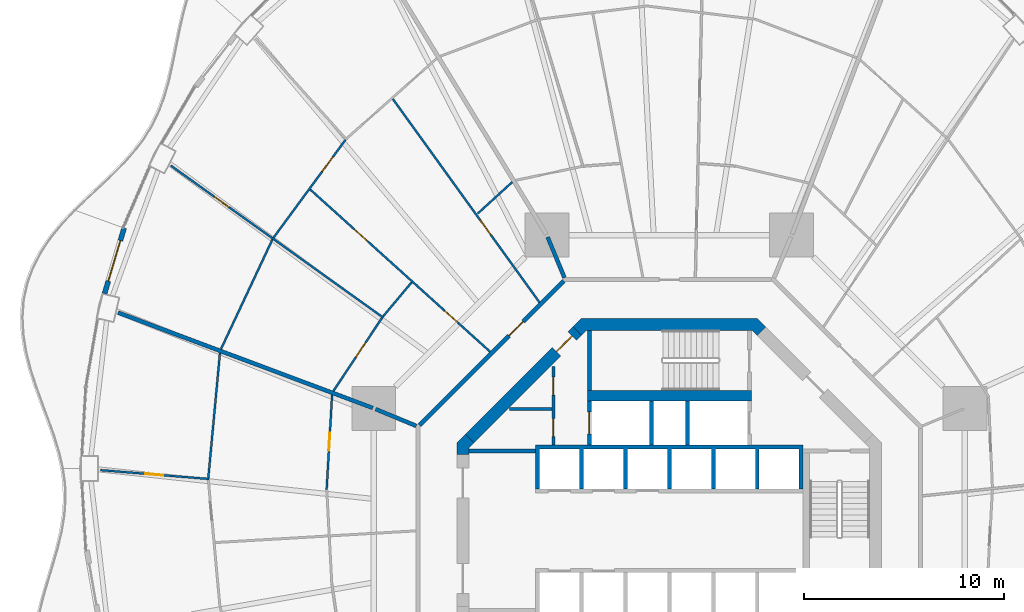
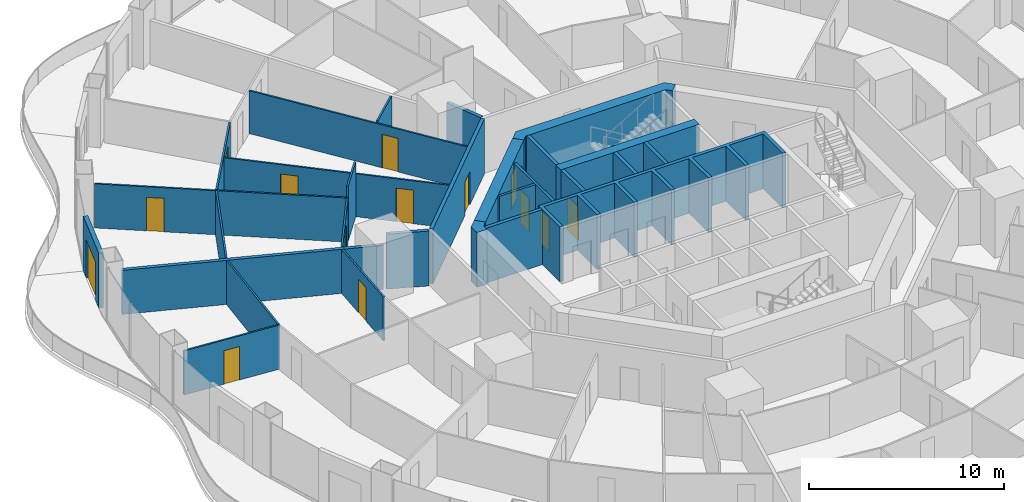
# One storey, part 18 of 24: 28 walls, 14 doors, 14 openings.
"""IFC4 building model written with IfcOpenShell, lengths in metres."""

import ifcopenshell
import ifcopenshell.guid

model = None  # the IFC model being written
_history = None  # IfcOwnerHistory: only IFC2X3 demands one
_inside = {}  # id of a spatial element -> (the spatial element, [elements in it])
_under = {}  # id of a project, library or spatial element -> (it, [spatial elements below it])
_declared = {}  # id of a project -> (the project, [libraries it declares])
_typed = {}  # id of a type object -> (the type object, [elements of that type])
_made_of = {}  # id of a material, layer set ... -> (it, [elements and type objects made of it])


def new_model(schema):
    """Start an empty IFC model of exactly this schema.

    Asked for "IFC4X3", IfcOpenShell would pick the latest addendum, in which some entities
    have other attributes; the version numbers below select the first issue.
    IFC2X3 requires an IfcOwnerHistory on every rooted entity: one is made here for all.
    """
    global model, _history
    if schema == "IFC4X3":
        model = ifcopenshell.file(schema_version=(4, 3, 0, 0))
    else:
        model = ifcopenshell.file(schema=schema)
    _inside.clear()
    _under.clear()
    _declared.clear()
    _typed.clear()
    _made_of.clear()
    _history = None
    if model.schema == "IFC2X3":
        org = make("IfcOrganization", Name="unknown")
        user = make(
            "IfcPersonAndOrganization",
            ThePerson=make("IfcPerson", FamilyName="unknown"),
            TheOrganization=org,
        )
        app = make(
            "IfcApplication",
            ApplicationDeveloper=org,
            Version="unknown",
            ApplicationFullName="unknown",
            ApplicationIdentifier="unknown",
        )
        _history = make(
            "IfcOwnerHistory",
            OwningUser=user,
            OwningApplication=app,
            ChangeAction="ADDED",
            CreationDate=0,
        )
    return model


def make(cls, **values):
    """One entity of the class cls with the attributes given. An attribute that is None is left unset."""
    return model.create_entity(
        cls, **{name: value for name, value in values.items() if value is not None}
    )


def rooted(cls, **values):
    """An entity with a GlobalId (a new one), such as an element, a storey or a relation."""
    return make(cls, GlobalId=ifcopenshell.guid.new(), OwnerHistory=_history, **values)


def si_unit(unit_type, name, prefix=None):
    """IfcSIUnit, for example si_unit("LENGTHUNIT", "METRE", prefix="MILLI")."""
    return make("IfcSIUnit", UnitType=unit_type, Prefix=prefix, Name=name)


def assignment(units):
    """IfcUnitAssignment: the units of a project."""
    return None if units is None else make("IfcUnitAssignment", Units=units)


def point(xyz):
    """IfcCartesianPoint."""
    return None if xyz is None else make("IfcCartesianPoint", Coordinates=xyz)


def direction(xyz):
    """IfcDirection."""
    return None if xyz is None else make("IfcDirection", DirectionRatios=xyz)


def frame(location, z_axis=None, x_axis=None):
    """IfcAxis2Placement3D, a coordinate frame: its origin and axes. An axis left out is left unset."""
    return make(
        "IfcAxis2Placement3D",
        Location=point(location),
        Axis=direction(z_axis),
        RefDirection=direction(x_axis),
    )


def frame_2d(location, x_axis=None):
    """IfcAxis2Placement2D, a coordinate frame in the plane: its origin and x axis."""
    return make(
        "IfcAxis2Placement2D", Location=point(location), RefDirection=direction(x_axis)
    )


def origin():
    """The frame at (0, 0, 0) with its axes left unset."""
    return frame((0.0, 0.0, 0.0))


def place(relative_to, where):
    """IfcLocalPlacement: puts the frame where relative to a parent placement (None: the world)."""
    return make(
        "IfcLocalPlacement", PlacementRelTo=relative_to, RelativePlacement=where
    )


def context(
    kind, dimensions, precision=None, world=None, true_north=None, identifier=None
):
    """IfcGeometricRepresentationContext, for example the 3D "Model" context."""
    return make(
        "IfcGeometricRepresentationContext",
        ContextIdentifier=identifier,
        ContextType=kind,
        CoordinateSpaceDimension=dimensions,
        Precision=precision,
        WorldCoordinateSystem=world,
        TrueNorth=true_north,
    )


def subcontext(parent, identifier, kind, view, scale=None):
    """IfcGeometricRepresentationSubContext, for example "Body" below "Model"."""
    return make(
        "IfcGeometricRepresentationSubContext",
        ContextIdentifier=identifier,
        ContextType=kind,
        ParentContext=parent,
        TargetScale=scale,
        TargetView=view,
    )


def project(units=None, contexts=None):
    """IfcProject with its units and contexts."""
    return rooted(
        "IfcProject",
        Name="project",
        RepresentationContexts=contexts,
        UnitsInContext=assignment(units),
    )


def spatial(cls, under=None, at=None, **own):
    """A site, building, storey or space (cls), placed at a placement, below another one or the project."""
    s = rooted(cls, ObjectPlacement=at, **own)
    if under is not None:
        _under.setdefault(under.id(), (under, []))[1].append(s)
    return s


def polyline(points):
    """IfcPolyline through the points."""
    return make("IfcPolyline", Points=[point(p) for p in points])


def profile(cls, at=None, kind="AREA", **sizes):
    """A parametric profile (cls). Its sizes go by their IFC names, for example OverallWidth=200.0."""
    return make(cls, ProfileType=kind, Position=at, **sizes)


def rectangle(**sizes):
    """IfcRectangleProfileDef."""
    return profile("IfcRectangleProfileDef", **sizes)


def outline(outer, holes=None, kind="AREA"):
    """IfcArbitraryClosedProfileDef: a profile drawn as a closed curve; with holes, ...WithVoids."""
    if holes is None:
        return make("IfcArbitraryClosedProfileDef", ProfileType=kind, OuterCurve=outer)
    return make(
        "IfcArbitraryProfileDefWithVoids",
        ProfileType=kind,
        OuterCurve=outer,
        InnerCurves=holes,
    )


def extrude(swept, where, along, depth):
    """IfcExtrudedAreaSolid: the profile swept, set in the frame where, extruded along a direction by depth."""
    return make(
        "IfcExtrudedAreaSolid",
        SweptArea=swept,
        Position=where,
        ExtrudedDirection=direction(along),
        Depth=depth,
    )


def shape(context_of_items, identifier, shape_type, items):
    """IfcShapeRepresentation: the items that make up one representation, for example the "Body"."""
    return make(
        "IfcShapeRepresentation",
        ContextOfItems=context_of_items,
        RepresentationIdentifier=identifier,
        RepresentationType=shape_type,
        Items=items,
    )


def material(Name=None, Category=None):
    """IfcMaterial."""
    return make("IfcMaterial", Name=Name, Category=Category)


def layer(
    of_material, thickness, ventilated=None, Name=None, Category=None, Priority=None
):
    """IfcMaterialLayer: one layer of a wall or slab, of a material (None: an air gap)."""
    return make(
        "IfcMaterialLayer",
        Material=of_material,
        LayerThickness=thickness,
        IsVentilated=ventilated,
        Name=Name,
        Category=Category,
        Priority=Priority,
    )


def layer_set(layers, Name=None):
    """IfcMaterialLayerSet."""
    return make("IfcMaterialLayerSet", MaterialLayers=layers, LayerSetName=Name)


def made_of(thing, what):
    """Note that an element or type object is made of a material, layer set ...; save() writes the relation."""
    if what is not None:
        _made_of.setdefault(what.id(), (what, []))[1].append(thing)
    return thing


def type_object(cls, material=None, **own):
    """A type object (cls), such as IfcWallType, which elements share."""
    return made_of(rooted(cls, **own), material)


def element(
    cls,
    number,
    at=None,
    inside=None,
    cuts=None,
    type_object=None,
    material=None,
    context=None,
    identifier="Body",
    shape_type=None,
    held_by="IfcProductDefinitionShape",
    body=None,
    shapes=None,
    **own,
):
    """One element of the class cls, such as IfcWall. Its Tag is "e" and its number.

    at: its placement. inside: the storey or other place that contains it. cuts: it is an
    opening in that element (IfcRelVoidsElement). A single representation is given by context,
    identifier, shape_type and body (its items); several are given by shapes. held_by: the class
    of the entity that holds the representations. save() writes the other relations.
    """
    e = rooted(cls, Tag="e%d" % number, ObjectPlacement=at, **own)
    if body is not None:
        shapes = [shape(context, identifier, shape_type, body)]
    if shapes is not None:
        e.Representation = make(held_by, Representations=shapes)
    if inside is not None:
        _inside.setdefault(inside.id(), (inside, []))[1].append(e)
    if cuts is not None:
        rooted(
            "IfcRelVoidsElement", RelatingBuildingElement=cuts, RelatedOpeningElement=e
        )
    if type_object is not None:
        _typed.setdefault(type_object.id(), (type_object, []))[1].append(e)
    return made_of(e, material)


def fill(opening, filler):
    """IfcRelFillsElement: the door or window that sits in an opening."""
    return rooted(
        "IfcRelFillsElement",
        RelatingOpeningElement=opening,
        RelatedBuildingElement=filler,
    )


def aggregate(whole, parts):
    """IfcRelAggregates: a whole, such as a stair, and the parts it consists of."""
    return rooted("IfcRelAggregates", RelatingObject=whole, RelatedObjects=parts)


def save(model, path):
    """Write the relations noted so far, then the file.

    IfcRelAggregates (storeys below a building ...), IfcRelContainedInSpatialStructure (elements
    in a storey), IfcRelDefinesByType, IfcRelAssociatesMaterial and IfcRelDeclares: one each for
    every whole, place, type object, material and project.
    """
    for whole, parts in _under.values():
        aggregate(whole, parts)
    for where, things in _inside.values():
        rooted(
            "IfcRelContainedInSpatialStructure",
            RelatedElements=things,
            RelatingStructure=where,
        )
    for kind, things in _typed.values():
        rooted("IfcRelDefinesByType", RelatedObjects=things, RelatingType=kind)
    for what, things in _made_of.values():
        rooted("IfcRelAssociatesMaterial", RelatedObjects=things, RelatingMaterial=what)
    for by, libraries in _declared.values():
        rooted("IfcRelDeclares", RelatingContext=by, RelatedDefinitions=libraries)
    model.write(path)


model = new_model("IFC4")

# Units and contexts
model_context = context("Model", 3, precision=1e-05, world=origin(), true_north=direction((0.0, 1.0)))
body_context = subcontext(model_context, "Body", "Model", "MODEL_VIEW")
ifc_project = project(units=[si_unit("LENGTHUNIT", "METRE"), si_unit("AREAUNIT", "SQUARE_METRE"), si_unit("VOLUMEUNIT", "CUBIC_METRE"), si_unit("PLANEANGLEUNIT", "RADIAN"), si_unit("MASSUNIT", "GRAM", prefix="KILO")], contexts=[model_context])

# Site, building, storey
site_placement = place(None, origin())
site = spatial("IfcSite", under=ifc_project, at=site_placement, CompositionType="ELEMENT")
building_placement = place(site_placement, origin())
building = spatial("IfcBuilding", under=site, at=building_placement, Name="Nagisa Residences", CompositionType="ELEMENT")
storey_placement = place(building_placement, frame((0.0, 0.0, 102.89990234375)))
storey = spatial("IfcBuildingStorey", under=building, at=storey_placement, Name="L25", CompositionType="ELEMENT", Elevation=102.89990234375)

# Walls
ifc_material_1 = material(Name="Gypsum board on steel studs", Category="steel")
ifc_layer_1 = layer(ifc_material_1, 0.199951171875)
ifc_layer_set_1 = layer_set([ifc_layer_1], Name="Apartment compartment wall EI60 200")
wall_type_1 = type_object("IfcWallType", Name="Apartment compartment wall EI60 200", PredefinedType="PARTITIONING", material=ifc_layer_set_1)
wall_1_placement = place(storey_placement, frame((-5.24267578125, 12.6572265625, 0.0), z_axis=(0.0, 0.0, 1.0), x_axis=(-0.38273085373, 0.923859888513, 0.0)))
element("IfcWall", 1, at=wall_1_placement, inside=storey, type_object=wall_type_1, Name="wall:L25:u02", PredefinedType="PARTITIONING", context=body_context, shape_type="SweptSolid", body=[
    extrude(rectangle(XDim=2.199462890625, YDim=0.199951171875, at=frame_2d((1.099609375, 0.0))), origin(), (0.0, 0.0, 1.0), 3.440185546875),
])
wall_2_placement = place(storey_placement, frame((-12.6572265625, 5.24267578125, 0.0), z_axis=(0.0, 0.0, 1.0), x_axis=(-0.923843626288, 0.382770106157, 0.0)))
element("IfcWall", 2, at=wall_2_placement, inside=storey, type_object=wall_type_1, Name="wall:L25:u04", PredefinedType="PARTITIONING", context=body_context, shape_type="SweptSolid", body=[
    extrude(rectangle(XDim=2.19921875, YDim=0.199951171875, at=frame_2d((1.099609375, 0.0))), origin(), (0.0, 0.0, 1.0), 3.440185546875),
])
wall_3_placement = place(storey_placement, frame((-14.828857421875, 6.140380859375, 0.0), z_axis=(0.0, 0.0, 1.0), x_axis=(-0.936597324342, 0.35040755134, 0.0)))
element("IfcWall", 3, at=wall_3_placement, inside=storey, type_object=wall_type_1, Name="wall:L25:u05", PredefinedType="PARTITIONING", context=body_context, shape_type="SweptSolid", body=[
    extrude(rectangle(XDim=13.605712890625, YDim=0.199951171875, at=frame_2d((6.802734375, 0.0))), origin(), (0.0, 0.0, 1.0), 2.76220703125),
])

# Wall, opening, door
ifc_material_2 = material(Name="Gypsum board on steel studs", Category="steel")
ifc_layer_2 = layer(ifc_material_2, 0.199951171875)
ifc_layer_set_2 = layer_set([ifc_layer_2], Name="Apartment entry wall EI60 200")
wall_type_2 = type_object("IfcWallType", Name="Apartment entry wall EI60 200", PredefinedType="PARTITIONING", material=ifc_layer_set_2)
wall_4_placement = place(storey_placement, frame((-5.275146484375, 12.494140625, 0.0), z_axis=(0.0, 0.0, 1.0), x_axis=(-0.707106781187, -0.707106781187, 0.0)))
wall_4 = element("IfcWall", 4, at=wall_4_placement, inside=storey, type_object=wall_type_2, Name="wall:L25:u13", PredefinedType="PARTITIONING", context=body_context, shape_type="SweptSolid", body=[
    extrude(rectangle(XDim=10.209228515625, YDim=0.199951171875, at=frame_2d((5.1044921875, 0.0))), origin(), (0.0, 0.0, 1.0), 3.440185546875),
])
opening_1_placement = place(wall_4_placement, frame((2.86962890625, 0.0, 0.0)))
opening_1 = element("IfcOpeningElement", 5, at=opening_1_placement, cuts=wall_4, Name="Opening L25-U50", PredefinedType="OPENING", context=body_context, shape_type="SweptSolid", body=[
    extrude(rectangle(XDim=1.0, YDim=2.10009765625, at=frame_2d((0.5, 1.050048828125))), frame((0.0, 0.10986328125, 0.0), z_axis=(0.0, -1.0, 0.0), x_axis=(1.0, 0.0, 0.0)), (0.0, 0.0, 1.0), 0.219970703125),
])
ifc_material_3 = material(Name="Timber fire door set", Category="wood")
door_type_1 = type_object("IfcDoorType", Name="Apartment entry door FD30S 1000x2100", OperationType="NOTDEFINED", PredefinedType="DOOR", material=ifc_material_3)
door_1_placement = place(opening_1_placement, frame((1.0, 0.0, 0.0), x_axis=(-1.0, 0.0, 0.0)))
door_1 = element("IfcDoor", 6, at=door_1_placement, inside=storey, type_object=door_type_1, Name="Entry door, Apartment 25E", OperationType="SINGLE_SWING_LEFT", OverallHeight=2.10009765625, OverallWidth=1.0, PredefinedType="DOOR", context=body_context, shape_type="SweptSolid", body=[
    extrude(rectangle(XDim=1.0, YDim=2.10009765625, at=frame_2d((0.5, 1.050048828125))), frame((0.0, 0.02490234375, 0.0), z_axis=(0.0, -1.0, 0.0), x_axis=(1.0, 0.0, 0.0)), (0.0, 0.0, 1.0), 0.050048828125),
])
fill(opening_1, door_1)

# Wall
ifc_material_4 = material(Name="Gypsum board on steel studs", Category="steel")
ifc_layer_3 = layer(ifc_material_4, 0.10009765625)
ifc_layer_set_3 = layer_set([ifc_layer_3], Name="Apartment partition 100")
wall_type_3 = type_object("IfcWallType", Name="Apartment partition 100", PredefinedType="PARTITIONING", material=ifc_layer_set_3)
wall_5_placement = place(storey_placement, frame((-7.856689453125, 17.438232421875, 0.0), z_axis=(0.0, 0.0, 1.0), x_axis=(-0.738883513135, -0.673833179665, 0.0)))
element("IfcWall", 7, at=wall_5_placement, inside=storey, type_object=wall_type_3, Name="wall:L25:u44", PredefinedType="PARTITIONING", context=body_context, shape_type="SweptSolid", body=[
    extrude(rectangle(XDim=2.3232421875, YDim=0.10009765625, at=frame_2d((1.16162109375, 0.0))), origin(), (0.0, 0.0, 1.0), 2.76220703125),
])

# Wall, opening, door
wall_6_placement = place(storey_placement, frame((-6.48974609375, 11.419189453125, 0.0), z_axis=(0.0, 0.0, 1.0), x_axis=(-0.584832823883, 0.811153849839, 0.0)))
wall_6 = element("IfcWall", 8, at=wall_6_placement, inside=storey, type_object=wall_type_3, Name="wall:L25:u46", PredefinedType="PARTITIONING", context=body_context, shape_type="SweptSolid", body=[
    extrude(rectangle(XDim=12.55322265625, YDim=0.10009765625, at=frame_2d((6.276611328125, 0.0))), origin(), (0.0, 0.0, 1.0), 2.68701171875),
])
opening_2_placement = place(wall_6_placement, frame((4.166015625, 0.0, 0.0)))
opening_2 = element("IfcOpeningElement", 9, at=opening_2_placement, cuts=wall_6, Name="Opening L25-U51", PredefinedType="OPENING", context=body_context, shape_type="SweptSolid", body=[
    extrude(rectangle(XDim=0.89990234375, YDim=2.10009765625, at=frame_2d((0.449951171875, 1.050048828125))), frame((0.0, 0.06005859375, 0.0), z_axis=(0.0, -1.0, 0.0), x_axis=(1.0, 0.0, 0.0)), (0.0, 0.0, 1.0), 0.1201171875),
])
ifc_material_5 = material(Name="Timber door set", Category="wood")
door_type_2 = type_object("IfcDoorType", Name="Apartment door 900x2100", OperationType="NOTDEFINED", PredefinedType="DOOR", material=ifc_material_5)
door_2_placement = place(opening_2_placement, frame((0.89990234375, 0.0, 0.0), x_axis=(-1.0, 0.0, 0.0)))
door_2 = element("IfcDoor", 10, at=door_2_placement, inside=storey, type_object=door_type_2, Name="Door to family bathroom, Apartment 25E", OperationType="SINGLE_SWING_RIGHT", OverallHeight=2.10009765625, OverallWidth=0.89990234375, PredefinedType="DOOR", context=body_context, shape_type="SweptSolid", body=[
    extrude(rectangle(XDim=0.89990234375, YDim=2.10009765625, at=frame_2d((0.449951171875, 1.050048828125))), frame((0.0, 0.02490234375, 0.0), z_axis=(0.0, -1.0, 0.0), x_axis=(1.0, 0.0, 0.0)), (0.0, 0.0, 1.0), 0.050048828125),
])
fill(opening_2, door_2)

wall_7_placement = place(storey_placement, frame((-16.197265625, 19.55126953125, 0.0), z_axis=(0.0, 0.0, 1.0), x_axis=(-0.592391983588, -0.80564988536, 0.0)))
wall_7 = element("IfcWall", 11, at=wall_7_placement, inside=storey, type_object=wall_type_3, Name="wall:L25:u48", PredefinedType="PARTITIONING", context=body_context, shape_type="SweptSolid", body=[
    extrude(rectangle(XDim=6.080078125, YDim=0.10009765625, at=frame_2d((3.0400390625, 0.0))), origin(), (0.0, 0.0, 1.0), 2.76220703125),
])
opening_3_placement = place(wall_7_placement, frame((1.070068359375, 0.0, 0.0)))
opening_3 = element("IfcOpeningElement", 12, at=opening_3_placement, cuts=wall_7, Name="Opening L25-U56", PredefinedType="OPENING", context=body_context, shape_type="SweptSolid", body=[
    extrude(rectangle(XDim=0.89990234375, YDim=2.10009765625, at=frame_2d((0.449951171875, 1.050048828125))), frame((0.0, 0.06005859375, 0.0), z_axis=(0.0, -1.0, 0.0), x_axis=(1.0, 0.0, 0.0)), (0.0, 0.0, 1.0), 0.1201171875),
])
door_3_placement = place(opening_3_placement, frame((0.89990234375, 0.0, 0.0), x_axis=(-1.0, 0.0, 0.0)))
door_3 = element("IfcDoor", 13, at=door_3_placement, inside=storey, type_object=door_type_2, Name="Door to dining room, Apartment 25E", OperationType="SINGLE_SWING_LEFT", OverallHeight=2.10009765625, OverallWidth=0.89990234375, PredefinedType="DOOR", context=body_context, shape_type="SweptSolid", body=[
    extrude(rectangle(XDim=0.89990234375, YDim=2.10009765625, at=frame_2d((0.449951171875, 1.050048828125))), frame((0.0, 0.02490234375, 0.0), z_axis=(0.0, -1.0, 0.0), x_axis=(1.0, 0.0, 0.0)), (0.0, 0.0, 1.0), 0.050048828125),
])
fill(opening_3, door_3)

# Wall, openings, doors
wall_8_placement = place(storey_placement, frame((-8.958984375, 8.95166015625, 0.0), z_axis=(0.0, 0.0, 1.0), x_axis=(-0.742679904999, 0.669646592398, 0.0)))
wall_8 = element("IfcWall", 14, at=wall_8_placement, inside=storey, type_object=wall_type_3, Name="wall:L25:u49", PredefinedType="PARTITIONING", context=body_context, shape_type="SweptSolid", body=[
    extrude(rectangle(XDim=12.121337890625, YDim=0.10009765625, at=frame_2d((6.060546875, 0.0))), origin(), (0.0, 0.0, 1.0), 2.68701171875),
])
opening_4_placement = place(wall_8_placement, frame((2.172119140625, 0.0, 0.0)))
opening_4 = element("IfcOpeningElement", 15, at=opening_4_placement, cuts=wall_8, Name="Opening L25-U52", PredefinedType="OPENING", context=body_context, shape_type="SweptSolid", body=[
    extrude(rectangle(XDim=0.89990234375, YDim=2.10009765625, at=frame_2d((0.449951171875, 1.050048828125))), frame((0.0, 0.06005859375, 0.0), z_axis=(0.0, -1.0, 0.0), x_axis=(1.0, 0.0, 0.0)), (0.0, 0.0, 1.0), 0.1201171875),
])
opening_5_placement = place(wall_8_placement, frame((8.232666015625, 0.0, 0.0)))
opening_5 = element("IfcOpeningElement", 16, at=opening_5_placement, cuts=wall_8, Name="Opening L25-U53", PredefinedType="OPENING", context=body_context, shape_type="SweptSolid", body=[
    extrude(rectangle(XDim=0.89990234375, YDim=2.10009765625, at=frame_2d((0.449951171875, 1.050048828125))), frame((0.0, 0.06005859375, 0.0), z_axis=(0.0, -1.0, 0.0), x_axis=(1.0, 0.0, 0.0)), (0.0, 0.0, 1.0), 0.1201171875),
])
door_4_placement = place(opening_4_placement, origin())
door_4 = element("IfcDoor", 17, at=door_4_placement, inside=storey, type_object=door_type_2, Name="Door to store, Apartment 25E", OperationType="SINGLE_SWING_RIGHT", OverallHeight=2.10009765625, OverallWidth=0.89990234375, PredefinedType="DOOR", context=body_context, shape_type="SweptSolid", body=[
    extrude(rectangle(XDim=0.89990234375, YDim=2.10009765625, at=frame_2d((0.449951171875, 1.050048828125))), frame((0.0, 0.02490234375, 0.0), z_axis=(0.0, -1.0, 0.0), x_axis=(1.0, 0.0, 0.0)), (0.0, 0.0, 1.0), 0.050048828125),
])
fill(opening_4, door_4)
door_5_placement = place(opening_5_placement, origin())
door_5 = element("IfcDoor", 18, at=door_5_placement, inside=storey, type_object=door_type_2, Name="Door to family bathroom, Apartment 25E", OperationType="SINGLE_SWING_LEFT", OverallHeight=2.10009765625, OverallWidth=0.89990234375, PredefinedType="DOOR", context=body_context, shape_type="SweptSolid", body=[
    extrude(rectangle(XDim=0.89990234375, YDim=2.10009765625, at=frame_2d((0.449951171875, 1.050048828125))), frame((0.0, 0.02490234375, 0.0), z_axis=(0.0, -1.0, 0.0), x_axis=(1.0, 0.0, 0.0)), (0.0, 0.0, 1.0), 0.050048828125),
])
fill(opening_5, door_5)

# Wall
wall_9_placement = place(storey_placement, frame((-12.885498046875, 12.4248046875, 0.0), z_axis=(0.0, 0.0, 1.0), x_axis=(-0.642551826067, -0.766242227248, 0.0)))
element("IfcWall", 19, at=wall_9_placement, inside=storey, type_object=wall_type_3, Name="wall:L25:u50", PredefinedType="PARTITIONING", context=body_context, shape_type="SweptSolid", body=[
    extrude(rectangle(XDim=2.218505859375, YDim=0.10009765625, at=frame_2d((1.109375, 0.0))), origin(), (0.0, 0.0, 1.0), 3.440185546875),
])

# Wall, opening, door
wall_10_placement = place(storey_placement, frame((-14.302490234375, 10.657470703125, 0.0), z_axis=(0.0, 0.0, 1.0), x_axis=(-0.813183002698, 0.582008079087, 0.0)))
wall_10 = element("IfcWall", 20, at=wall_10_placement, inside=storey, type_object=wall_type_3, Name="wall:L25:u51", PredefinedType="PARTITIONING", context=body_context, shape_type="SweptSolid", body=[
    extrude(rectangle(XDim=13.074462890625, YDim=0.10009765625, at=frame_2d((6.537109375, 0.0))), origin(), (0.0, 0.0, 1.0), 2.76220703125),
])
opening_6_placement = place(wall_10_placement, frame((9.485107421875, 0.0, 0.0)))
opening_6 = element("IfcOpeningElement", 21, at=opening_6_placement, cuts=wall_10, Name="Opening L25-U57", PredefinedType="OPENING", context=body_context, shape_type="SweptSolid", body=[
    extrude(rectangle(XDim=0.89990234375, YDim=2.10009765625, at=frame_2d((0.449951171875, 1.050048828125))), frame((0.0, 0.06005859375, 0.0), z_axis=(0.0, -1.0, 0.0), x_axis=(1.0, 0.0, 0.0)), (0.0, 0.0, 1.0), 0.1201171875),
])
door_6_placement = place(opening_6_placement, origin())
door_6 = element("IfcDoor", 22, at=door_6_placement, inside=storey, type_object=door_type_2, Name="Door to living room, Apartment 25E", OperationType="SINGLE_SWING_LEFT", OverallHeight=2.10009765625, OverallWidth=0.89990234375, PredefinedType="DOOR", context=body_context, shape_type="SweptSolid", body=[
    extrude(rectangle(XDim=0.89990234375, YDim=2.10009765625, at=frame_2d((0.449951171875, 1.050048828125))), frame((0.0, 0.02490234375, 0.0), z_axis=(0.0, -1.0, 0.0), x_axis=(1.0, 0.0, 0.0)), (0.0, 0.0, 1.0), 0.050048828125),
])
fill(opening_6, door_6)

wall_11_placement = place(storey_placement, frame((-14.370849609375, 10.64501953125, 0.0), z_axis=(0.0, 0.0, 1.0), x_axis=(-0.553341009285, -0.832954817168, 0.0)))
wall_11 = element("IfcWall", 23, at=wall_11_placement, inside=storey, type_object=wall_type_3, Name="wall:L25:u52", PredefinedType="PARTITIONING", context=body_context, shape_type="SweptSolid", body=[
    extrude(rectangle(XDim=4.396240234375, YDim=0.10009765625, at=frame_2d((2.1982421875, 0.0))), origin(), (0.0, 0.0, 1.0), 2.76220703125),
])
opening_7_placement = place(wall_11_placement, frame((1.468505859375, 0.0, 0.0)))
opening_7 = element("IfcOpeningElement", 24, at=opening_7_placement, cuts=wall_11, Name="Opening L25-U54", PredefinedType="OPENING", context=body_context, shape_type="SweptSolid", body=[
    extrude(rectangle(XDim=0.89990234375, YDim=2.10009765625, at=frame_2d((0.449951171875, 1.050048828125))), frame((0.0, 0.06005859375, 0.0), z_axis=(0.0, -1.0, 0.0), x_axis=(1.0, 0.0, 0.0)), (0.0, 0.0, 1.0), 0.1201171875),
])
door_7_placement = place(opening_7_placement, frame((0.89990234375, 0.0, 0.0), x_axis=(-1.0, 0.0, 0.0)))
door_7 = element("IfcDoor", 25, at=door_7_placement, inside=storey, type_object=door_type_2, Name="Door to kitchen, Apartment 25E", OperationType="SINGLE_SWING_LEFT", OverallHeight=2.10009765625, OverallWidth=0.89990234375, PredefinedType="DOOR", context=body_context, shape_type="SweptSolid", body=[
    extrude(rectangle(XDim=0.89990234375, YDim=2.10009765625, at=frame_2d((0.449951171875, 1.050048828125))), frame((0.0, 0.02490234375, 0.0), z_axis=(0.0, -1.0, 0.0), x_axis=(1.0, 0.0, 0.0)), (0.0, 0.0, 1.0), 0.050048828125),
])
fill(opening_7, door_7)

# Wall
wall_12_placement = place(storey_placement, frame((-19.85009765625, 14.5673828125, 0.0), z_axis=(0.0, 0.0, 1.0), x_axis=(-0.424942210745, -0.905220480064, 0.0)))
element("IfcWall", 26, at=wall_12_placement, inside=storey, type_object=wall_type_3, Name="wall:L25:u53", PredefinedType="PARTITIONING", context=body_context, shape_type="SweptSolid", body=[
    extrude(rectangle(XDim=6.05322265625, YDim=0.10009765625, at=frame_2d((3.026611328125, 0.0))), origin(), (0.0, 0.0, 1.0), 2.76220703125),
])

# Wall, opening, door
wall_13_placement = place(storey_placement, frame((-16.864501953125, 6.800048828125, 0.0), z_axis=(0.0, 0.0, 1.0), x_axis=(-0.05777584434, -0.998329580755, 0.0)))
wall_13 = element("IfcWall", 27, at=wall_13_placement, inside=storey, type_object=wall_type_3, Name="wall:L25:u54", PredefinedType="PARTITIONING", context=body_context, shape_type="SweptSolid", body=[
    extrude(rectangle(XDim=4.74951171875, YDim=0.10009765625, at=frame_2d((2.374755859375, 0.0))), origin(), (0.0, 0.0, 1.0), 2.76220703125),
])
opening_8_placement = place(wall_13_placement, frame((1.89990234375, 0.0, 0.0)))
opening_8 = element("IfcOpeningElement", 28, at=opening_8_placement, cuts=wall_13, Name="Opening L25-U14", PredefinedType="OPENING", context=body_context, shape_type="SweptSolid", body=[
    extrude(rectangle(XDim=0.89990234375, YDim=2.10009765625, at=frame_2d((0.449951171875, 1.050048828125))), frame((0.0, 0.06005859375, 0.0), z_axis=(0.0, -1.0, 0.0), x_axis=(1.0, 0.0, 0.0)), (0.0, 0.0, 1.0), 0.1201171875),
])
door_8_placement = place(opening_8_placement, origin())
door_8 = element("IfcDoor", 29, at=door_8_placement, inside=storey, type_object=door_type_2, Name="Door to laundry, Apartment 25A", OperationType="SINGLE_SWING_RIGHT", OverallHeight=2.10009765625, OverallWidth=0.89990234375, PredefinedType="DOOR", context=body_context, shape_type="SweptSolid", body=[
    extrude(rectangle(XDim=0.89990234375, YDim=2.10009765625, at=frame_2d((0.449951171875, 1.050048828125))), frame((0.0, 0.02490234375, 0.0), z_axis=(0.0, -1.0, 0.0), x_axis=(1.0, 0.0, 0.0)), (0.0, 0.0, 1.0), 0.050048828125),
])
fill(opening_8, door_8)

# Wall
wall_14_placement = place(storey_placement, frame((-22.47412109375, 8.897705078125, 0.0), z_axis=(0.0, 0.0, 1.0), x_axis=(-0.092756864489, -0.995688788774, 0.0)))
element("IfcWall", 30, at=wall_14_placement, inside=storey, type_object=wall_type_3, Name="wall:L25:u55", PredefinedType="PARTITIONING", context=body_context, shape_type="SweptSolid", body=[
    extrude(rectangle(XDim=6.28271484375, YDim=0.10009765625, at=frame_2d((3.141357421875, 0.0))), origin(), (0.0, 0.0, 1.0), 2.76220703125),
])

# Wall, opening, door
wall_15_placement = place(storey_placement, frame((-23.01171875, 2.588134765625, 0.0), z_axis=(0.0, 0.0, 1.0), x_axis=(-0.996680765347, 0.081409164031, 0.0)))
wall_15 = element("IfcWall", 31, at=wall_15_placement, inside=storey, type_object=wall_type_3, Name="wall:L25:u57", PredefinedType="PARTITIONING", context=body_context, shape_type="SweptSolid", body=[
    extrude(rectangle(XDim=5.4580078125, YDim=0.10009765625, at=frame_2d((2.72900390625, 0.0))), origin(), (0.0, 0.0, 1.0), 2.76220703125),
])
opening_9_placement = place(wall_15_placement, frame((2.303955078125, 0.0, 0.0)))
opening_9 = element("IfcOpeningElement", 32, at=opening_9_placement, cuts=wall_15, Name="Opening L25-U13", PredefinedType="OPENING", context=body_context, shape_type="SweptSolid", body=[
    extrude(rectangle(XDim=0.89990234375, YDim=2.10009765625, at=frame_2d((0.449951171875, 1.050048828125))), frame((0.0, 0.06005859375, 0.0), z_axis=(0.0, -1.0, 0.0), x_axis=(1.0, 0.0, 0.0)), (0.0, 0.0, 1.0), 0.1201171875),
])
door_9_placement = place(opening_9_placement, frame((0.89990234375, 0.0, 0.0), x_axis=(-1.0, 0.0, 0.0)))
door_9 = element("IfcDoor", 33, at=door_9_placement, inside=storey, type_object=door_type_2, Name="Door to master bedroom, Apartment 25A", OperationType="SINGLE_SWING_RIGHT", OverallHeight=2.10009765625, OverallWidth=0.89990234375, PredefinedType="DOOR", context=body_context, shape_type="SweptSolid", body=[
    extrude(rectangle(XDim=0.89990234375, YDim=2.10009765625, at=frame_2d((0.449951171875, 1.050048828125))), frame((0.0, 0.02490234375, 0.0), z_axis=(0.0, -1.0, 0.0), x_axis=(1.0, 0.0, 0.0)), (0.0, 0.0, 1.0), 0.050048828125),
])
fill(opening_9, door_9)

ifc_material_6 = material(Name="Precast concrete C40/50", Category="concrete")
ifc_layer_4 = layer(ifc_material_6, 0.25)
ifc_layer_set_4 = layer_set([ifc_layer_4], Name="BALCONY DOOR WALL 250")
wall_type_4 = type_object("IfcWallType", Name="BALCONY DOOR WALL 250", PredefinedType="SOLIDWALL", material=ifc_layer_set_4)
wall_16_placement = place(storey_placement, frame((-28.24560546875, 11.861572265625, 0.0), z_axis=(0.0, 0.0, 1.0), x_axis=(0.285816610469, 0.958284334203, 0.0)))
wall_16 = element("IfcWall", 34, at=wall_16_placement, inside=storey, type_object=wall_type_4, Name="wall:L25:bay21", PredefinedType="SOLIDWALL", context=body_context, shape_type="SweptSolid", body=[
    extrude(rectangle(XDim=3.423583984375, YDim=0.25, at=frame_2d((1.7119140625, 0.0))), origin(), (0.0, 0.0, 1.0), 3.440185546875),
])
opening_10_placement = place(wall_16_placement, frame((0.661865234375, 0.0, 0.0)))
opening_10 = element("IfcOpeningElement", 35, at=opening_10_placement, cuts=wall_16, Name="Opening BD-L25-08", PredefinedType="OPENING", context=body_context, shape_type="SweptSolid", body=[
    extrude(rectangle(XDim=2.10009765625, YDim=2.39990234375, at=frame_2d((1.050048828125, 1.199951171875))), frame((0.0, 0.135009765625, 0.0), z_axis=(0.0, -1.0, 0.0), x_axis=(1.0, 0.0, 0.0)), (0.0, 0.0, 1.0), 0.27001953125),
])
ifc_material_7 = material(Name="Aluminium and clear glass", Category="aluminium")
door_type_3 = type_object("IfcDoorType", Name="BALCONY SLIDING DOOR 2100x2400", OperationType="SLIDING_TO_LEFT", PredefinedType="DOOR", material=ifc_material_7)
door_10_placement = place(opening_10_placement, origin())
door_10 = element("IfcDoor", 36, at=door_10_placement, inside=storey, type_object=door_type_3, Name="door:L25:bay21", OperationType="SLIDING_TO_LEFT", OverallHeight=2.39990234375, OverallWidth=2.10009765625, PredefinedType="DOOR", context=body_context, shape_type="SweptSolid", body=[
    extrude(rectangle(XDim=2.10009765625, YDim=2.39990234375, at=frame_2d((1.050048828125, 1.199951171875))), frame((0.0, 0.02490234375, 0.0), z_axis=(0.0, -1.0, 0.0), x_axis=(1.0, 0.0, 0.0)), (0.0, 0.0, 1.0), 0.050048828125),
])
fill(opening_10, door_10)

# Wall, openings, doors
ifc_material_8 = material(Name="Gypsum board on steel studs", Category="steel")
ifc_layer_5 = layer(ifc_material_8, 0.14990234375)
ifc_layer_set_5 = layer_set([ifc_layer_5], Name="Core partition 150")
wall_type_5 = type_object("IfcWallType", Name="Core partition 150", PredefinedType="PARTITIONING", material=ifc_layer_set_5)
wall_17_placement = place(storey_placement, frame((-5.800048828125, 4.300048828125, 0.0), z_axis=(0.0, 0.0, 1.0), x_axis=(0.0, 1.0, 0.0)))
wall_17 = element("IfcWall", 37, at=wall_17_placement, inside=storey, type_object=wall_type_5, Name="wall:L25:NWp", PredefinedType="PARTITIONING", context=body_context, shape_type="SweptSolid", body=[
    extrude(rectangle(XDim=3.927001953125, YDim=0.14990234375, at=frame_2d((1.96337890625, 0.0))), origin(), (0.0, 0.0, 1.0), 3.440185546875),
])
opening_11_placement = place(wall_17_placement, frame((0.41259765625, 0.0, 0.0)))
opening_11 = element("IfcOpeningElement", 38, at=opening_11_placement, cuts=wall_17, Name="Opening L25-C12", PredefinedType="OPENING", context=body_context, shape_type="SweptSolid", body=[
    extrude(rectangle(XDim=0.89990234375, YDim=2.10009765625, at=frame_2d((0.449951171875, 1.050048828125))), frame((0.0, 0.0849609375, 0.0), z_axis=(0.0, -1.0, 0.0), x_axis=(1.0, 0.0, 0.0)), (0.0, 0.0, 1.0), 0.169921875),
])
opening_12_placement = place(wall_17_placement, frame((2.488525390625, 0.0, 0.0)))
opening_12 = element("IfcOpeningElement", 39, at=opening_12_placement, cuts=wall_17, Name="Opening L25-C13", PredefinedType="OPENING", context=body_context, shape_type="SweptSolid", body=[
    extrude(rectangle(XDim=0.89990234375, YDim=2.10009765625, at=frame_2d((0.449951171875, 1.050048828125))), frame((0.0, 0.0849609375, 0.0), z_axis=(0.0, -1.0, 0.0), x_axis=(1.0, 0.0, 0.0)), (0.0, 0.0, 1.0), 0.169921875),
])
ifc_material_9 = material(Name="Steel fire door", Category="steel")
door_type_4 = type_object("IfcDoorType", Name="Fire door EI30 900x2100 single swing", OperationType="NOTDEFINED", PredefinedType="DOOR", material=ifc_material_9)
door_11_placement = place(opening_11_placement, origin())
door_11 = element("IfcDoor", 40, at=door_11_placement, inside=storey, type_object=door_type_4, Name="Package room door L25", OperationType="SINGLE_SWING_RIGHT", OverallHeight=2.10009765625, OverallWidth=0.89990234375, PredefinedType="DOOR", context=body_context, shape_type="SweptSolid", body=[
    extrude(rectangle(XDim=0.89990234375, YDim=2.10009765625, at=frame_2d((0.449951171875, 1.050048828125))), frame((0.0, 0.02490234375, 0.0), z_axis=(0.0, -1.0, 0.0), x_axis=(1.0, 0.0, 0.0)), (0.0, 0.0, 1.0), 0.050048828125),
])
fill(opening_11, door_11)
door_12_placement = place(opening_12_placement, origin())
door_12 = element("IfcDoor", 41, at=door_12_placement, inside=storey, type_object=door_type_4, Name="Valet store door L25", OperationType="SINGLE_SWING_RIGHT", OverallHeight=2.10009765625, OverallWidth=0.89990234375, PredefinedType="DOOR", context=body_context, shape_type="SweptSolid", body=[
    extrude(rectangle(XDim=0.89990234375, YDim=2.10009765625, at=frame_2d((0.449951171875, 1.050048828125))), frame((0.0, 0.02490234375, 0.0), z_axis=(0.0, -1.0, 0.0), x_axis=(1.0, 0.0, 0.0)), (0.0, 0.0, 1.0), 0.050048828125),
])
fill(opening_12, door_12)

# Walls
wall_18_placement = place(storey_placement, frame((-8.0009765625, 6.10009765625, 0.0), z_axis=(0.0, 0.0, 1.0), x_axis=(1.0, 0.0, 0.0)))
element("IfcWall", 42, at=wall_18_placement, inside=storey, type_object=wall_type_5, Name="wall:L25:NWq", PredefinedType="PARTITIONING", context=body_context, shape_type="SweptSolid", body=[
    extrude(rectangle(XDim=2.1259765625, YDim=0.14990234375, at=frame_2d((1.06298828125, 0.0))), origin(), (0.0, 0.0, 1.0), 3.440185546875),
])
ifc_material_10 = material(Name="Gypsum board on steel studs", Category="steel")
ifc_layer_6 = layer(ifc_material_10, 0.199951171875)
ifc_layer_set_6 = layer_set([ifc_layer_6], Name="Core partition 200")
wall_type_6 = type_object("IfcWallType", Name="Core partition 200", PredefinedType="PARTITIONING", material=ifc_layer_set_6)
wall_19_placement = place(storey_placement, frame((-10.024658203125, 4.0, 0.0), z_axis=(0.0, 0.0, 1.0), x_axis=(1.0, 0.0, 0.0)))
element("IfcWall", 43, at=wall_19_placement, inside=storey, type_object=wall_type_6, Name="wall:L25:PNW", PredefinedType="PARTITIONING", context=body_context, shape_type="SweptSolid", body=[
    extrude(rectangle(XDim=3.32470703125, YDim=0.199951171875, at=frame_2d((1.662353515625, 0.0))), origin(), (0.0, 0.0, 1.0), 3.440185546875),
])

# Wall, opening, door
ifc_material_11 = material(Name="Concrete C60", Category="concrete")
ifc_layer_7 = layer(ifc_material_11, 0.60009765625)
ifc_layer_set_7 = layer_set([ifc_layer_7], Name="Core shear wall 600")
wall_type_7 = type_object("IfcWallType", Name="Core shear wall 600", PredefinedType="SHEAR", material=ifc_layer_set_7)
wall_20_placement = place(storey_placement, frame((-4.613037109375, 9.98828125, 0.0), z_axis=(0.0, 0.0, 1.0), x_axis=(-0.707106781187, -0.707106781187, 0.0)))
wall_20 = element("IfcWall", 44, at=wall_20_placement, inside=storey, type_object=wall_type_7, Name="wall:L25:core:flat3", PredefinedType="SHEAR", context=body_context, shape_type="SweptSolid", body=[
    extrude(rectangle(XDim=7.601806640625, YDim=0.60009765625, at=frame_2d((3.80078125, 0.0))), origin(), (0.0, 0.0, 1.0), 3.440185546875),
])
opening_13_placement = place(wall_20_placement, frame((0.350830078125, 0.0, 0.0)))
opening_13 = element("IfcOpeningElement", 45, at=opening_13_placement, cuts=wall_20, Name="Opening L25-C21", PredefinedType="OPENING", context=body_context, shape_type="SweptSolid", body=[
    extrude(rectangle(XDim=1.10009765625, YDim=2.10009765625, at=frame_2d((0.550048828125, 1.050048828125))), frame((0.0, 0.31005859375, 0.0), z_axis=(0.0, -1.0, 0.0), x_axis=(1.0, 0.0, 0.0)), (0.0, 0.0, 1.0), 0.6201171875),
])
ifc_material_12 = material(Name="Steel fire door", Category="steel")
door_type_5 = type_object("IfcDoorType", Name="Fire door EI60 1100x2100 single swing", OperationType="NOTDEFINED", PredefinedType="DOOR", material=ifc_material_12)
door_13_placement = place(opening_13_placement, origin())
door_13 = element("IfcDoor", 46, at=door_13_placement, inside=storey, type_object=door_type_5, Name="Service lobby door L25", OperationType="SINGLE_SWING_LEFT", OverallHeight=2.10009765625, OverallWidth=1.10009765625, PredefinedType="DOOR", context=body_context, shape_type="SweptSolid", body=[
    extrude(rectangle(XDim=1.10009765625, YDim=2.10009765625, at=frame_2d((0.550048828125, 1.050048828125))), frame((0.0, 0.02490234375, 0.0), z_axis=(0.0, -1.0, 0.0), x_axis=(1.0, 0.0, 0.0)), (0.0, 0.0, 1.0), 0.050048828125),
])
fill(opening_13, door_13)

# Walls
wall_21_placement = place(storey_placement, origin())
element("IfcWall", 47, at=wall_21_placement, inside=storey, type_object=wall_type_7, Name="wall:L25:core:pier3", PredefinedType="SHEAR", context=body_context, shape_type="SweptSolid", body=[
    extrude(outline(polyline([(-10.200439453125, 4.8251953125), (-9.776123046875, 4.40087890625), (-10.024658203125, 4.15234375), (-10.024658203125, 3.80078125), (-10.62451171875, 3.80078125), (-10.62451171875, 4.40087890625), (-10.200439453125, 4.8251953125)])), origin(), (0.0, 0.0, 1.0), 3.440185546875),
])
wall_22_placement = place(storey_placement, origin())
element("IfcWall", 48, at=wall_22_placement, inside=storey, type_object=wall_type_7, Name="wall:L25:core:flat2", PredefinedType="SHEAR", context=body_context, shape_type="SweptSolid", body=[
    extrude(outline(polyline([(-4.15234375, 10.024658203125), (-4.40087890625, 9.776123046875), (-4.8251953125, 10.200439453125), (-4.40087890625, 10.62451171875), (4.40087890625, 10.62451171875), (4.8251953125, 10.200439453125), (4.40087890625, 9.776123046875), (4.15234375, 10.024658203125), (-4.15234375, 10.024658203125)])), origin(), (0.0, 0.0, 1.0), 3.440185546875),
])

# Wall, opening, door
ifc_material_13 = material(Name="Concrete C60", Category="concrete")
ifc_layer_8 = layer(ifc_material_13, 0.199951171875)
ifc_layer_set_8 = layer_set([ifc_layer_8], Name="Lift shaft wall 200")
wall_type_8 = type_object("IfcWallType", Name="Lift shaft wall 200", PredefinedType="SOLIDWALL", material=ifc_layer_set_8)
wall_23_placement = place(storey_placement, frame((-4.0, 4.300048828125, 0.0), z_axis=(0.0, 0.0, 1.0), x_axis=(0.0, 1.0, 0.0)))
wall_23 = element("IfcWall", 49, at=wall_23_placement, inside=storey, type_object=wall_type_8, Name="wall:L25:Nb4", PredefinedType="SOLIDWALL", context=body_context, shape_type="SweptSolid", body=[
    extrude(rectangle(XDim=2.199951171875, YDim=0.199951171875, at=frame_2d((1.10009765625, 0.0))), origin(), (0.0, 0.0, 1.0), 3.440185546875),
])
opening_14_placement = place(wall_23_placement, frame((0.550048828125, 0.0, 0.0)))
opening_14 = element("IfcOpeningElement", 50, at=opening_14_placement, cuts=wall_23, Name="Opening L25-C08", PredefinedType="OPENING", context=body_context, shape_type="SweptSolid", body=[
    extrude(rectangle(XDim=1.10009765625, YDim=2.10009765625, at=frame_2d((0.550048828125, 1.050048828125))), frame((0.0, 0.10986328125, 0.0), z_axis=(0.0, -1.0, 0.0), x_axis=(1.0, 0.0, 0.0)), (0.0, 0.0, 1.0), 0.219970703125),
])
ifc_material_14 = material(Name="Stainless steel", Category="steel")
door_type_6 = type_object("IfcDoorType", Name="Lift landing door 1100x2100", OperationType="DOUBLE_DOOR_SLIDING", PredefinedType="DOOR", material=ifc_material_14)
door_14_placement = place(opening_14_placement, origin())
door_14 = element("IfcDoor", 51, at=door_14_placement, inside=storey, type_object=door_type_6, Name="Landing door SV L25", OperationType="DOUBLE_DOOR_SLIDING", OverallHeight=2.10009765625, OverallWidth=1.10009765625, PredefinedType="DOOR", context=body_context, shape_type="SweptSolid", body=[
    extrude(rectangle(XDim=1.10009765625, YDim=2.10009765625, at=frame_2d((0.550048828125, 1.050048828125))), frame((0.0, 0.02490234375, 0.0), z_axis=(0.0, -1.0, 0.0), x_axis=(1.0, 0.0, 0.0)), (0.0, 0.0, 1.0), 0.050048828125),
])
fill(opening_14, door_14)

# Walls
for number, where, z_axis, x_axis, name in (
    (52, (-0.89990234375, 4.300048828125, 0.0), (0.0, 0.0, 1.0), (0.0, 1.0, 0.0), "wall:L25:Nb1"),
    (53, (0.89990234375, 4.300048828125, 0.0), (0.0, 0.0, 1.0), (0.0, 1.0, 0.0), "wall:L25:Nb2"),
):
    element("IfcWall", number, at=place(storey_placement, frame(where, z_axis=z_axis, x_axis=x_axis)), inside=storey, type_object=wall_type_8, Name=name, PredefinedType="SOLIDWALL", context=body_context, shape_type="SweptSolid", body=[
        extrude(rectangle(XDim=2.199951171875, YDim=0.199951171875, at=frame_2d((1.10009765625, 0.0))), origin(), (0.0, 0.0, 1.0), 3.440185546875),
    ])
wall_24_placement = place(storey_placement, origin())
element("IfcWall", 54, at=wall_24_placement, inside=storey, type_object=wall_type_8, Name="wall:L25:Nback", PredefinedType="SOLIDWALL", context=body_context, shape_type="SweptSolid", body=[
    extrude(outline(polyline([(-6.5, 2.10009765625), (-6.699951171875, 2.10009765625), (-6.699951171875, 4.300048828125), (6.699951171875, 4.300048828125), (6.699951171875, 2.10009765625), (6.5, 2.10009765625), (6.5, 4.10009765625), (4.5, 4.10009765625), (4.5, 2.10009765625), (4.300048828125, 2.10009765625), (4.300048828125, 4.10009765625), (2.300048828125, 4.10009765625), (2.300048828125, 2.10009765625), (2.10009765625, 2.10009765625), (2.10009765625, 4.10009765625), (0.10009765625, 4.10009765625), (0.10009765625, 2.10009765625), (-0.10009765625, 2.10009765625), (-0.10009765625, 4.10009765625), (-2.10009765625, 4.10009765625), (-2.10009765625, 2.10009765625), (-2.300048828125, 2.10009765625), (-2.300048828125, 4.10009765625), (-4.300048828125, 4.10009765625), (-4.300048828125, 2.10009765625), (-4.5, 2.10009765625), (-4.5, 4.10009765625), (-6.5, 4.10009765625), (-6.5, 2.10009765625)])), origin(), (0.0, 0.0, 1.0), 3.440185546875),
])
ifc_material_15 = material(Name="Concrete C60", Category="concrete")
ifc_layer_9 = layer(ifc_material_15, 0.199951171875)
ifc_layer_set_9 = layer_set([ifc_layer_9], Name="Stair enclosure wall 200")
wall_type_9 = type_object("IfcWallType", Name="Stair enclosure wall 200", PredefinedType="SOLIDWALL", material=ifc_layer_set_9)
wall_25_placement = place(storey_placement, origin())
element("IfcWall", 55, at=wall_25_placement, inside=storey, type_object=wall_type_9, Name="wall:L25:SN_w", PredefinedType="SOLIDWALL", context=body_context, shape_type="SweptSolid", body=[
    extrude(outline(polyline([(-3.89990234375, 7.024658203125), (-4.10009765625, 7.024658203125), (-4.10009765625, 10.024658203125), (-3.89990234375, 10.024658203125), (-3.89990234375, 7.024658203125)])), origin(), (0.0, 0.0, 1.0), 3.440185546875),
])
wall_26_placement = place(storey_placement, origin())
element("IfcWall", 56, at=wall_26_placement, inside=storey, type_object=wall_type_9, Name="wall:L25:SN_s", PredefinedType="SOLIDWALL", context=body_context, shape_type="SweptSolid", body=[
    extrude(outline(polyline([(4.10009765625, 6.5), (-4.10009765625, 6.5), (-4.10009765625, 7.024658203125), (4.10009765625, 7.024658203125), (4.10009765625, 6.5)])), origin(), (0.0, 0.0, 1.0), 3.440185546875),
])

save(model, "model.ifc")
